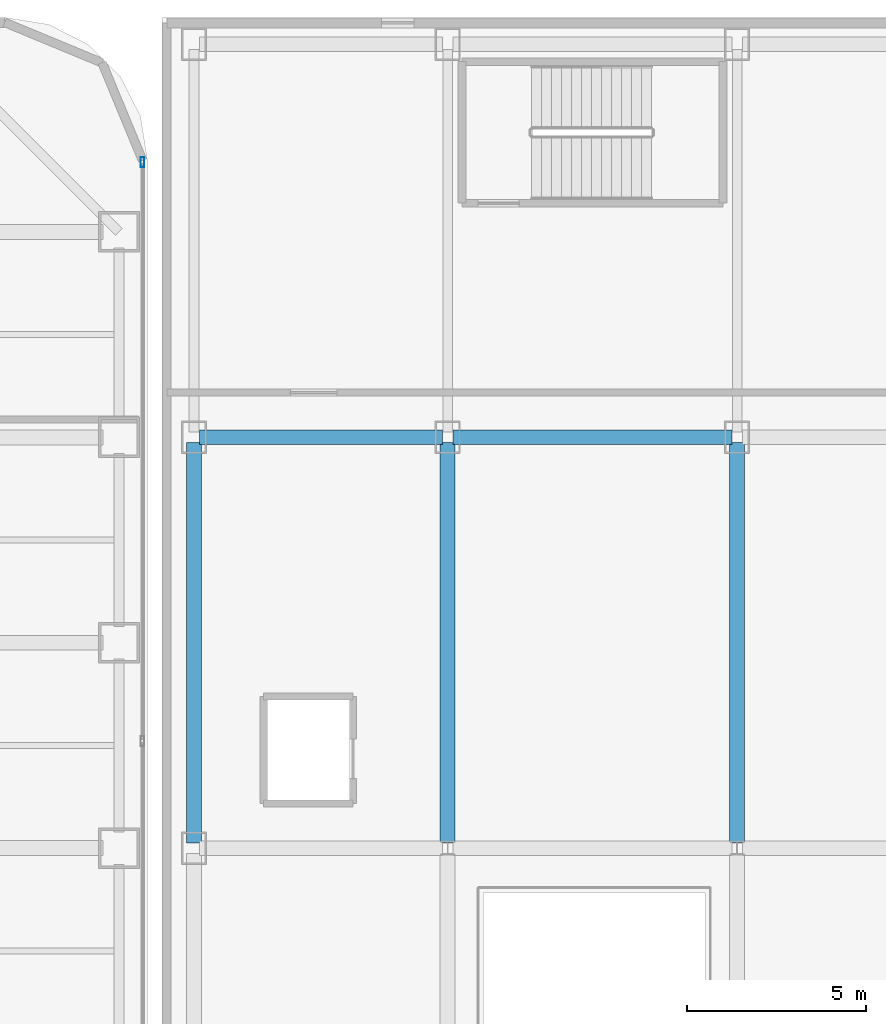
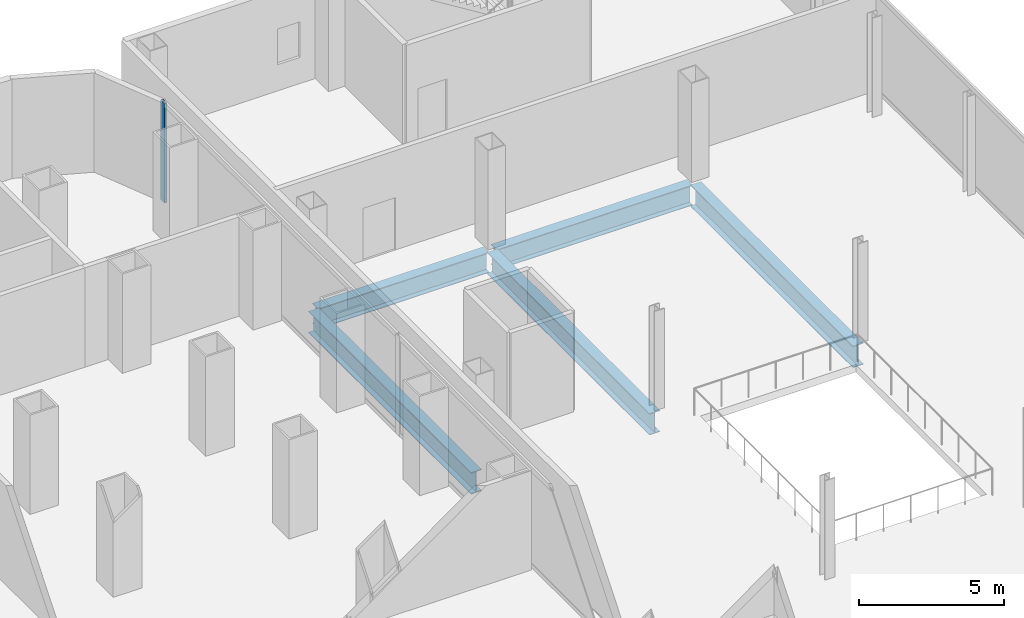
# One storey, part 14 of 26: 5 beams, 1 member, 1 element without a shape of its own.
"""IFC4 building model written with IfcOpenShell, lengths in metres."""

from ifc_helpers import new_model, si_unit, direction, frame, origin, origin_2d, place, context, subcontext, project, spatial, hollow_rectangle, i_section, extrude, source, transform, mapped, material, layer, layer_set, material_profile, profile_set, type_object, element, aggregate, save


model = new_model("IFC4")

# Units and contexts
model_context = context("Model", 3, precision=1e-05, world=origin(), true_north=direction((0.0, 1.0)))
body_context = subcontext(model_context, "Body", "Model", "MODEL_VIEW")
ifc_project = project(units=[si_unit("LENGTHUNIT", "METRE"), si_unit("AREAUNIT", "SQUARE_METRE"), si_unit("VOLUMEUNIT", "CUBIC_METRE"), si_unit("PLANEANGLEUNIT", "RADIAN"), si_unit("MASSUNIT", "GRAM", prefix="KILO")], contexts=[model_context])

# Site, building, storey
site_placement = place(None, origin())
site = spatial("IfcSite", under=ifc_project, at=site_placement, CompositionType="ELEMENT")
building_placement = place(site_placement, origin())
building = spatial("IfcBuilding", under=site, at=building_placement, Name="Kolveth Station Tower", CompositionType="ELEMENT")
storey_placement = place(building_placement, frame((0.0, 0.0, 9.0)))
storey = spatial("IfcBuildingStorey", under=building, at=storey_placement, Name="L02", CompositionType="ELEMENT", Elevation=9.0)

# Beams
ifc_material_1 = material(Name="Steel S355", Category="steel")
ifc_material_profile_1 = material_profile(ifc_material_1, i_section(OverallWidth=0.40087890625, OverallDepth=0.85107421875, WebThickness=0.01611328125, FlangeThickness=0.025390625, at=origin_2d()), Name="W840x226")
ifc_profile_set_1 = profile_set([ifc_material_profile_1], Name="Steel S355")
beam_type_1 = type_object("IfcBeamType", Name="Beam_B2", PredefinedType="BEAM", material=ifc_profile_set_1)
shared_shape_1 = source(origin(), body_context, "Body", "SweptSolid", [
    extrude(i_section(OverallWidth=0.40087890625, OverallDepth=0.85107421875, WebThickness=0.01611328125, FlangeThickness=0.025390625, at=origin_2d()), origin(), (0.0, 0.0, 1.0), 6.800048828125),
])
beam_1_placement = place(storey_placement, frame((48.449951171875, 28.75, -0.74560546875), z_axis=(1.0, 0.0, 0.0), x_axis=(0.0, 1.0, 0.0)))
element("IfcBeam", 1, at=beam_1_placement, inside=storey, type_object=beam_type_1, Name="L02 Station Portal Girder SBM-L02-EW-5-1", PredefinedType="BEAM", context=body_context, shape_type="MappedRepresentation", body=[
    mapped(shared_shape_1, transform((0.0, 0.0, 0.0), x_axis=(1.0, 0.0, 0.0), y_axis=(0.0, 1.0, 0.0), z_axis=(0.0, 0.0, 1.0), scale=1.0)),
])
shared_shape_2 = source(origin(), body_context, "Body", "SweptSolid", [
    extrude(i_section(OverallWidth=0.40087890625, OverallDepth=0.85107421875, WebThickness=0.01611328125, FlangeThickness=0.025390625, at=origin_2d()), origin(), (0.0, 0.0, 1.0), 7.800048828125),
])
beam_2_placement = place(storey_placement, frame((55.550048828125, 28.75, -0.74560546875), z_axis=(1.0, 0.0, 0.0), x_axis=(0.0, 1.0, 0.0)))
element("IfcBeam", 2, at=beam_2_placement, inside=storey, type_object=beam_type_1, Name="L02 Station Portal Girder SBM-L02-EW-5-2", PredefinedType="BEAM", context=body_context, shape_type="MappedRepresentation", body=[
    mapped(shared_shape_2, transform((0.0, 0.0, 0.0), x_axis=(1.0, 0.0, 0.0), y_axis=(0.0, 1.0, 0.0), z_axis=(0.0, 0.0, 1.0), scale=1.0)),
])
ifc_material_profile_2 = material_profile(ifc_material_1, i_section(OverallWidth=0.41796875, OverallDepth=0.912109375, WebThickness=0.019287109375, FlangeThickness=0.031982421875, at=origin_2d()), Name="W920x342")
ifc_profile_set_2 = profile_set([ifc_material_profile_2], Name="Steel S355")
beam_type_2 = type_object("IfcBeamType", Name="Beam_B1", PredefinedType="BEAM", material=ifc_profile_set_2)
shared_shape_3 = source(origin(), body_context, "Body", "SweptSolid", [
    extrude(i_section(OverallWidth=0.41796875, OverallDepth=0.912109375, WebThickness=0.019287109375, FlangeThickness=0.031982421875, at=origin_2d()), origin(), (0.0, 0.0, 1.0), 11.2001953125),
])
for number, where, z_axis, x_axis, name in (
    (3, (48.300048828125, 17.39990234375, -0.77587890625), (0.0, 1.0, 0.0), (-1.0, 0.0, 0.0), "L02 Station Spine Girder SBM-L02-NS-1-4"),
    (4, (55.39990234375, 17.39990234375, -0.77587890625), (0.0, 1.0, 0.0), (-1.0, 0.0, 0.0), "L02 Station Spine Girder SBM-L02-NS-2-4"),
    (5, (63.5, 17.39990234375, -0.77587890625), (0.0, 1.0, 0.0), (-1.0, 0.0, 0.0), "L02 Station Spine Girder SBM-L02-NS-3-4"),
):
    element("IfcBeam", number, at=place(storey_placement, frame(where, z_axis=z_axis, x_axis=x_axis)), inside=storey, type_object=beam_type_2, Name=name, PredefinedType="BEAM", context=body_context, shape_type="MappedRepresentation", body=[
        mapped(shared_shape_3, transform((0.0, 0.0, 0.0), x_axis=(1.0, 0.0, 0.0), y_axis=(0.0, 1.0, 0.0), z_axis=(0.0, 0.0, 1.0), scale=1.0)),
    ])

# Curtain wall, member
ifc_material_2 = material(Name="Black anodized aluminium 6063-T6 and clear station glass", Category="aluminium")
ifc_layer = layer(ifc_material_2, 0.239990234375)
ifc_layer_set = layer_set([ifc_layer], Name="Black anodized aluminium 6063-T6 and clear station glass")
curtain_wall_type = type_object("IfcCurtainWallType", Name="CurtainWall_CW-ST", PredefinedType="NOTDEFINED", material=ifc_layer_set)
curtain_wall_placement = place(storey_placement, origin())
curtain_wall = element("IfcCurtainWall", 6, at=curtain_wall_placement, inside=storey, type_object=curtain_wall_type, Name="L02 Tower Podium East Storefront Curtain Wall", PredefinedType="NOTDEFINED")
ifc_material_3 = material(Name="Black anodized aluminium 6063-T6", Category="aluminium")
ifc_material_profile_3 = material_profile(ifc_material_3, hollow_rectangle(XDim=0.10009765625, YDim=0.280029296875, WallThickness=0.0048828125, at=origin_2d()), Name="ALU-100x280x5")
ifc_profile_set_3 = profile_set([ifc_material_profile_3], Name="Black anodized aluminium 6063-T6")
member_type = type_object("IfcMemberType", Name="Mullion_ML-ST", PredefinedType="MULLION", material=ifc_profile_set_3)
shared_shape_4 = source(origin(), body_context, "Body", "SweptSolid", [
    extrude(hollow_rectangle(XDim=0.10009765625, YDim=0.280029296875, WallThickness=0.0048828125, at=origin_2d()), origin(), (0.0, 0.0, 1.0), 4.179931640625),
])
member_placement = place(storey_placement, frame((46.860107421875, 36.449951171875, 0.0), z_axis=(0.0, 0.0, 1.0), x_axis=(-1.0, 0.0, 0.0)))
member = element("IfcMember", 7, at=member_placement, type_object=member_type, Name="CW-ST mullion 3", PredefinedType="MULLION", context=body_context, shape_type="MappedRepresentation", body=[
    mapped(shared_shape_4, transform((0.0, 0.0, 0.0), x_axis=(1.0, 0.0, 0.0), y_axis=(0.0, 1.0, 0.0), z_axis=(0.0, 0.0, 1.0), scale=1.0)),
])
aggregate(curtain_wall, [member])

save(model, "model.ifc")
